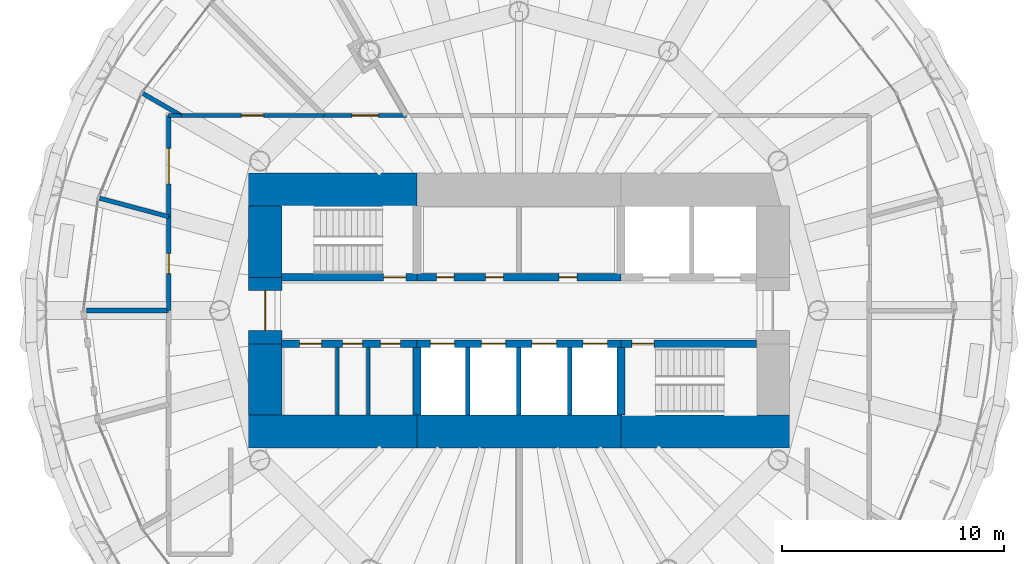
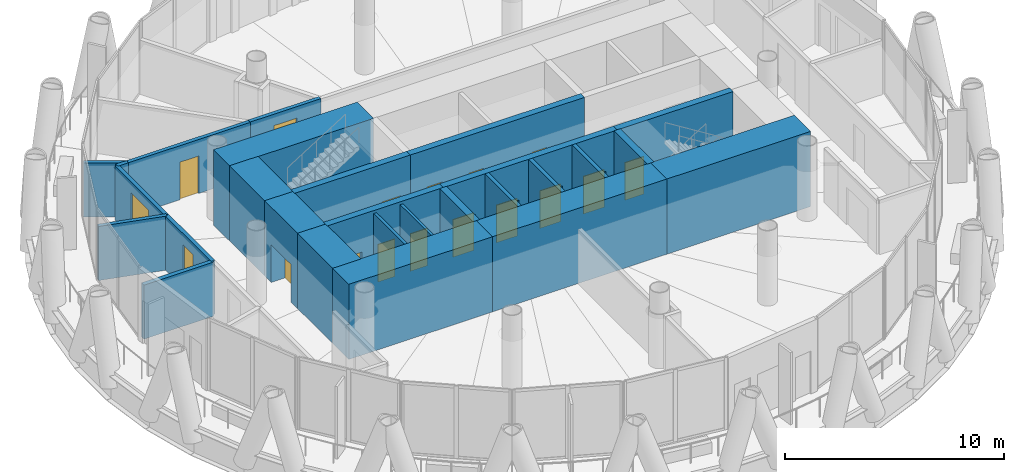
# One storey, part 9 of 15: 27 walls, 17 doors, 17 openings.
"""IFC4 building model written with IfcOpenShell, lengths in metres."""

from ifc_helpers import new_model, si_unit, direction, frame, frame_2d, origin, place, context, subcontext, project, spatial, rectangle, extrude, material, layer, layer_set, type_object, element, fill, save


model = new_model("IFC4")

# Units and contexts
model_context = context("Model", 3, precision=1e-05, world=origin(), true_north=direction((0.0, 1.0)))
body_context = subcontext(model_context, "Body", "Model", "MODEL_VIEW")
ifc_project = project(units=[si_unit("LENGTHUNIT", "METRE"), si_unit("AREAUNIT", "SQUARE_METRE"), si_unit("VOLUMEUNIT", "CUBIC_METRE"), si_unit("PLANEANGLEUNIT", "RADIAN"), si_unit("MASSUNIT", "GRAM", prefix="KILO")], contexts=[model_context])

# Site, building, storey
site_placement = place(None, origin())
site = spatial("IfcSite", under=ifc_project, at=site_placement, CompositionType="ELEMENT")
building_placement = place(site_placement, origin())
building = spatial("IfcBuilding", under=site, at=building_placement, Name="Qaws Media Tower", CompositionType="ELEMENT")
storey_placement = place(building_placement, frame((0.0, 0.0, 257.0)))
storey = spatial("IfcBuildingStorey", under=building, at=storey_placement, Name="L59", CompositionType="ELEMENT", Elevation=257.0)

# Wall
ifc_material_1 = material(Name="Twin metal stud frames, two layers gypsum board each side, insulated, Rw 55", Category="gypsum")
ifc_layer_1 = layer(ifc_material_1, 0.22509765625)
ifc_layer_set_1 = layer_set([ifc_layer_1], Name="Acoustic twin-stud partition 225 Rw 55")
wall_type_1 = type_object("IfcWallType", Name="Acoustic twin-stud partition 225 Rw 55", PredefinedType="PARTITIONING", material=ifc_layer_set_1)
wall_1_placement = place(storey_placement, frame((44.199951171875, 50.0, 0.0), z_axis=(0.0, 0.0, 1.0), x_axis=(-1.0, 0.0, 0.0)))
element("IfcWall", 1, at=wall_1_placement, inside=storey, type_object=wall_type_1, Name="W098 IW6 partition L59", PredefinedType="PARTITIONING", context=body_context, shape_type="SweptSolid", body=[
    extrude(rectangle(XDim=3.7099609375, YDim=0.22509765625, at=frame_2d((1.85498046875, 0.0))), origin(), (0.0, 0.0, 1.0), 3.02001953125),
])

# Wall, opening, door
ifc_material_2 = material(Name="Concrete C60/75", Category="concrete")
ifc_layer_2 = layer(ifc_material_2, 0.35009765625)
ifc_layer_set_2 = layer_set([ifc_layer_2], Name="Core inner wall 350")
wall_type_2 = type_object("IfcWallType", Name="Core inner wall 350", PredefinedType="SHEAR", material=ifc_layer_set_2)
wall_2_placement = place(storey_placement, frame((49.280029296875, 51.5, 0.0), z_axis=(0.0, 0.0, 1.0), x_axis=(1.0, 0.0, 0.0)))
wall_2 = element("IfcWall", 2, at=wall_2_placement, inside=storey, type_object=wall_type_2, Name="W301 SW5 core wall SPNW L59", PredefinedType="SHEAR", context=body_context, shape_type="SweptSolid", body=[
    extrude(rectangle(XDim=6.119873046875, YDim=0.35009765625, at=frame_2d((3.06005859375, 0.0))), origin(), (0.0, 0.0, 1.0), 4.199951171875),
])
opening_1_placement = place(wall_2_placement, frame((4.6201171875, 0.0, 0.0)))
opening_1 = element("IfcOpeningElement", 3, at=opening_1_placement, cuts=wall_2, Name="Opening D1", PredefinedType="OPENING", context=body_context, shape_type="SweptSolid", body=[
    extrude(rectangle(XDim=1.0, YDim=2.10009765625, at=frame_2d((0.5, 1.050048828125))), frame((0.0, 0.18505859375, 0.0), z_axis=(0.0, -1.0, 0.0), x_axis=(1.0, 0.0, 0.0)), (0.0, 0.0, 1.0), 0.3701171875),
])
ifc_material_3 = material(Name="Steel, fire rated", Category="steel")
door_type_1 = type_object("IfcDoorType", Name="Stair door 1000 FD120", OperationType="SINGLE_SWING_LEFT", PredefinedType="DOOR", material=ifc_material_3)
door_1_placement = place(opening_1_placement, origin())
door_1 = element("IfcDoor", 4, at=door_1_placement, inside=storey, type_object=door_type_1, Name="D1 stair S1 door L59 in wall W301", OperationType="SINGLE_SWING_LEFT", OverallHeight=2.10009765625, OverallWidth=1.0, PredefinedType="DOOR", context=body_context, shape_type="SweptSolid", body=[
    extrude(rectangle(XDim=1.0, YDim=2.10009765625, at=frame_2d((0.5, 1.050048828125))), frame((0.0, 0.02490234375, 0.0), z_axis=(0.0, -1.0, 0.0), x_axis=(1.0, 0.0, 0.0)), (0.0, 0.0, 1.0), 0.050048828125),
])
fill(opening_1, door_1)

# Wall, openings, doors
wall_3_placement = place(storey_placement, frame((55.39990234375, 51.5, 0.0), z_axis=(0.0, 0.0, 1.0), x_axis=(1.0, 0.0, 0.0)))
wall_3 = element("IfcWall", 5, at=wall_3_placement, inside=storey, type_object=wall_type_2, Name="W304 SW5 core wall SPN L59", PredefinedType="SHEAR", context=body_context, shape_type="SweptSolid", body=[
    extrude(rectangle(XDim=9.2001953125, YDim=0.35009765625, at=frame_2d((4.60009765625, 0.0))), origin(), (0.0, 0.0, 1.0), 4.199951171875),
])
opening_2_placement = place(wall_3_placement, frame((0.881103515625, 0.0, 0.0)))
opening_2 = element("IfcOpeningElement", 6, at=opening_2_placement, cuts=wall_3, Name="Opening D23", PredefinedType="OPENING", context=body_context, shape_type="SweptSolid", body=[
    extrude(rectangle(XDim=0.800048828125, YDim=2.10009765625, at=frame_2d((0.39990234375, 1.050048828125))), frame((0.0, 0.18505859375, 0.0), z_axis=(0.0, -1.0, 0.0), x_axis=(1.0, 0.0, 0.0)), (0.0, 0.0, 1.0), 0.3701171875),
])
opening_3_placement = place(wall_3_placement, frame((3.09375, 0.0, 0.0)))
opening_3 = element("IfcOpeningElement", 7, at=opening_3_placement, cuts=wall_3, Name="Opening D23", PredefinedType="OPENING", context=body_context, shape_type="SweptSolid", body=[
    extrude(rectangle(XDim=0.800048828125, YDim=2.10009765625, at=frame_2d((0.39990234375, 1.050048828125))), frame((0.0, 0.18505859375, 0.0), z_axis=(0.0, -1.0, 0.0), x_axis=(1.0, 0.0, 0.0)), (0.0, 0.0, 1.0), 0.3701171875),
])
opening_4_placement = place(wall_3_placement, frame((6.41259765625, 0.0, 0.0)))
opening_4 = element("IfcOpeningElement", 8, at=opening_4_placement, cuts=wall_3, Name="Opening D23", PredefinedType="OPENING", context=body_context, shape_type="SweptSolid", body=[
    extrude(rectangle(XDim=0.800048828125, YDim=2.10009765625, at=frame_2d((0.39990234375, 1.050048828125))), frame((0.0, 0.18505859375, 0.0), z_axis=(0.0, -1.0, 0.0), x_axis=(1.0, 0.0, 0.0)), (0.0, 0.0, 1.0), 0.3701171875),
])
ifc_material_4 = material(Name="Steel, fire rated", Category="steel")
door_type_2 = type_object("IfcDoorType", Name="Core room door 800x2100", OperationType="SINGLE_SWING_LEFT", PredefinedType="DOOR", material=ifc_material_4)
door_2_placement = place(opening_2_placement, origin())
door_2 = element("IfcDoor", 9, at=door_2_placement, inside=storey, type_object=door_type_2, Name="D23 Ladies toilets door L59 1 in wall W304", OperationType="SINGLE_SWING_LEFT", OverallHeight=2.10009765625, OverallWidth=0.800048828125, PredefinedType="DOOR", context=body_context, shape_type="SweptSolid", body=[
    extrude(rectangle(XDim=0.800048828125, YDim=2.10009765625, at=frame_2d((0.39990234375, 1.050048828125))), frame((0.0, 0.02490234375, 0.0), z_axis=(0.0, -1.0, 0.0), x_axis=(1.0, 0.0, 0.0)), (0.0, 0.0, 1.0), 0.050048828125),
])
fill(opening_2, door_2)
door_3_placement = place(opening_3_placement, origin())
door_3 = element("IfcDoor", 10, at=door_3_placement, inside=storey, type_object=door_type_2, Name="D23 Ladies toilets door L59 2 in wall W304", OperationType="SINGLE_SWING_LEFT", OverallHeight=2.10009765625, OverallWidth=0.800048828125, PredefinedType="DOOR", context=body_context, shape_type="SweptSolid", body=[
    extrude(rectangle(XDim=0.800048828125, YDim=2.10009765625, at=frame_2d((0.39990234375, 1.050048828125))), frame((0.0, 0.02490234375, 0.0), z_axis=(0.0, -1.0, 0.0), x_axis=(1.0, 0.0, 0.0)), (0.0, 0.0, 1.0), 0.050048828125),
])
fill(opening_3, door_3)
door_4_placement = place(opening_4_placement, origin())
door_4 = element("IfcDoor", 11, at=door_4_placement, inside=storey, type_object=door_type_2, Name="D23 Gents toilets door L59 in wall W304", OperationType="SINGLE_SWING_LEFT", OverallHeight=2.10009765625, OverallWidth=0.800048828125, PredefinedType="DOOR", context=body_context, shape_type="SweptSolid", body=[
    extrude(rectangle(XDim=0.800048828125, YDim=2.10009765625, at=frame_2d((0.39990234375, 1.050048828125))), frame((0.0, 0.02490234375, 0.0), z_axis=(0.0, -1.0, 0.0), x_axis=(1.0, 0.0, 0.0)), (0.0, 0.0, 1.0), 0.050048828125),
])
fill(opening_4, door_4)

wall_4_placement = place(storey_placement, frame((49.280029296875, 48.5, 0.0), z_axis=(0.0, 0.0, 1.0), x_axis=(1.0, 0.0, 0.0)))
wall_4 = element("IfcWall", 12, at=wall_4_placement, inside=storey, type_object=wall_type_2, Name="W300 SW5 core wall SPSW L59", PredefinedType="SHEAR", context=body_context, shape_type="SweptSolid", body=[
    extrude(rectangle(XDim=6.119873046875, YDim=0.35009765625, at=frame_2d((3.06005859375, 0.0))), origin(), (0.0, 0.0, 1.0), 4.199951171875),
])
opening_5_placement = place(wall_4_placement, frame((0.820068359375, 0.0, 0.0)))
opening_5 = element("IfcOpeningElement", 13, at=opening_5_placement, cuts=wall_4, Name="Opening D4", PredefinedType="OPENING", context=body_context, shape_type="SweptSolid", body=[
    extrude(rectangle(XDim=1.0, YDim=2.10009765625, at=frame_2d((0.5, 1.050048828125))), frame((0.0, 0.18505859375, 0.0), z_axis=(0.0, -1.0, 0.0), x_axis=(1.0, 0.0, 0.0)), (0.0, 0.0, 1.0), 0.3701171875),
])
opening_6_placement = place(wall_4_placement, frame((2.77001953125, 0.0, 0.0)))
opening_6 = element("IfcOpeningElement", 14, at=opening_6_placement, cuts=wall_4, Name="Opening D25", PredefinedType="OPENING", context=body_context, shape_type="SweptSolid", body=[
    extrude(rectangle(XDim=0.89990234375, YDim=2.10009765625, at=frame_2d((0.449951171875, 1.050048828125))), frame((0.0, 0.18505859375, 0.0), z_axis=(0.0, -1.0, 0.0), x_axis=(1.0, 0.0, 0.0)), (0.0, 0.0, 1.0), 0.3701171875),
])
opening_7_placement = place(wall_4_placement, frame((4.469970703125, 0.0, 0.0)))
opening_7 = element("IfcOpeningElement", 15, at=opening_7_placement, cuts=wall_4, Name="Opening D25", PredefinedType="OPENING", context=body_context, shape_type="SweptSolid", body=[
    extrude(rectangle(XDim=0.89990234375, YDim=2.10009765625, at=frame_2d((0.449951171875, 1.050048828125))), frame((0.0, 0.18505859375, 0.0), z_axis=(0.0, -1.0, 0.0), x_axis=(1.0, 0.0, 0.0)), (0.0, 0.0, 1.0), 0.3701171875),
])
ifc_material_5 = material(Name="Timber veneered", Category="wood")
door_type_3 = type_object("IfcDoorType", Name="Accessible WC door 1000", OperationType="SLIDING_TO_LEFT", PredefinedType="DOOR", material=ifc_material_5)
door_5_placement = place(opening_5_placement, origin())
door_5 = element("IfcDoor", 16, at=door_5_placement, inside=storey, type_object=door_type_3, Name="D4 toilet door 1 L59 in wall W300", OperationType="SLIDING_TO_LEFT", OverallHeight=2.10009765625, OverallWidth=1.0, PredefinedType="DOOR", context=body_context, shape_type="SweptSolid", body=[
    extrude(rectangle(XDim=1.0, YDim=2.10009765625, at=frame_2d((0.5, 1.050048828125))), frame((0.0, 0.02490234375, 0.0), z_axis=(0.0, -1.0, 0.0), x_axis=(1.0, 0.0, 0.0)), (0.0, 0.0, 1.0), 0.050048828125),
])
fill(opening_5, door_5)
ifc_material_6 = material(Name="Steel, fire rated", Category="steel")
door_type_4 = type_object("IfcDoorType", Name="Core service door 900", OperationType="SINGLE_SWING_RIGHT", PredefinedType="DOOR", material=ifc_material_6)
door_6_placement = place(opening_6_placement, origin())
door_6 = element("IfcDoor", 17, at=door_6_placement, inside=storey, type_object=door_type_4, Name="D25 toilet door 2 L59 in wall W300", OperationType="SINGLE_SWING_RIGHT", OverallHeight=2.10009765625, OverallWidth=0.89990234375, PredefinedType="DOOR", context=body_context, shape_type="SweptSolid", body=[
    extrude(rectangle(XDim=0.89990234375, YDim=2.10009765625, at=frame_2d((0.449951171875, 1.050048828125))), frame((0.0, 0.02490234375, 0.0), z_axis=(0.0, -1.0, 0.0), x_axis=(1.0, 0.0, 0.0)), (0.0, 0.0, 1.0), 0.050048828125),
])
fill(opening_6, door_6)
door_7_placement = place(opening_7_placement, origin())
door_7 = element("IfcDoor", 18, at=door_7_placement, inside=storey, type_object=door_type_4, Name="D25 toilet door 3 L59 in wall W300", OperationType="SINGLE_SWING_RIGHT", OverallHeight=2.10009765625, OverallWidth=0.89990234375, PredefinedType="DOOR", context=body_context, shape_type="SweptSolid", body=[
    extrude(rectangle(XDim=0.89990234375, YDim=2.10009765625, at=frame_2d((0.449951171875, 1.050048828125))), frame((0.0, 0.02490234375, 0.0), z_axis=(0.0, -1.0, 0.0), x_axis=(1.0, 0.0, 0.0)), (0.0, 0.0, 1.0), 0.050048828125),
])
fill(opening_7, door_7)

wall_5_placement = place(storey_placement, frame((55.39990234375, 48.5, 0.0), z_axis=(0.0, 0.0, 1.0), x_axis=(1.0, 0.0, 0.0)))
wall_5 = element("IfcWall", 19, at=wall_5_placement, inside=storey, type_object=wall_type_2, Name="W303 SW5 core wall SPS L59", PredefinedType="SHEAR", context=body_context, shape_type="SweptSolid", body=[
    extrude(rectangle(XDim=9.2001953125, YDim=0.35009765625, at=frame_2d((4.60009765625, 0.0))), origin(), (0.0, 0.0, 1.0), 4.199951171875),
])
opening_8_placement = place(wall_5_placement, frame((0.60009765625, 0.0, 0.0)))
opening_8 = element("IfcOpeningElement", 20, at=opening_8_placement, cuts=wall_5, Name="Opening LD", PredefinedType="OPENING", context=body_context, shape_type="SweptSolid", body=[
    extrude(rectangle(XDim=1.10009765625, YDim=2.10009765625, at=frame_2d((0.550048828125, 1.050048828125))), frame((0.0, 0.18505859375, 0.0), z_axis=(0.0, -1.0, 0.0), x_axis=(1.0, 0.0, 0.0)), (0.0, 0.0, 1.0), 0.3701171875),
])
opening_9_placement = place(wall_5_placement, frame((2.89990234375, 0.0, 0.0)))
opening_9 = element("IfcOpeningElement", 21, at=opening_9_placement, cuts=wall_5, Name="Opening LD", PredefinedType="OPENING", context=body_context, shape_type="SweptSolid", body=[
    extrude(rectangle(XDim=1.10009765625, YDim=2.10009765625, at=frame_2d((0.550048828125, 1.050048828125))), frame((0.0, 0.18505859375, 0.0), z_axis=(0.0, -1.0, 0.0), x_axis=(1.0, 0.0, 0.0)), (0.0, 0.0, 1.0), 0.3701171875),
])
opening_10_placement = place(wall_5_placement, frame((5.199951171875, 0.0, 0.0)))
opening_10 = element("IfcOpeningElement", 22, at=opening_10_placement, cuts=wall_5, Name="Opening LD", PredefinedType="OPENING", context=body_context, shape_type="SweptSolid", body=[
    extrude(rectangle(XDim=1.10009765625, YDim=2.10009765625, at=frame_2d((0.550048828125, 1.050048828125))), frame((0.0, 0.18505859375, 0.0), z_axis=(0.0, -1.0, 0.0), x_axis=(1.0, 0.0, 0.0)), (0.0, 0.0, 1.0), 0.3701171875),
])
opening_11_placement = place(wall_5_placement, frame((7.5, 0.0, 0.0)))
opening_11 = element("IfcOpeningElement", 23, at=opening_11_placement, cuts=wall_5, Name="Opening LD", PredefinedType="OPENING", context=body_context, shape_type="SweptSolid", body=[
    extrude(rectangle(XDim=1.10009765625, YDim=2.10009765625, at=frame_2d((0.550048828125, 1.050048828125))), frame((0.0, 0.18505859375, 0.0), z_axis=(0.0, -1.0, 0.0), x_axis=(1.0, 0.0, 0.0)), (0.0, 0.0, 1.0), 0.3701171875),
])
ifc_material_7 = material(Name="Steel, fire rated", Category="steel")
door_type_5 = type_object("IfcDoorType", Name="Lift landing door 1100", OperationType="SLIDING_TO_LEFT", PredefinedType="DOOR", material=ifc_material_7)
door_8_placement = place(opening_8_placement, origin())
door_8 = element("IfcDoor", 24, at=door_8_placement, inside=storey, type_object=door_type_5, Name="P5 landing door L59 in wall W303", OperationType="SLIDING_TO_LEFT", OverallHeight=2.10009765625, OverallWidth=1.10009765625, PredefinedType="DOOR", context=body_context, shape_type="SweptSolid", body=[
    extrude(rectangle(XDim=1.10009765625, YDim=2.10009765625, at=frame_2d((0.550048828125, 1.050048828125))), frame((0.0, 0.02490234375, 0.0), z_axis=(0.0, -1.0, 0.0), x_axis=(1.0, 0.0, 0.0)), (0.0, 0.0, 1.0), 0.050048828125),
])
fill(opening_8, door_8)
door_9_placement = place(opening_9_placement, origin())
door_9 = element("IfcDoor", 25, at=door_9_placement, inside=storey, type_object=door_type_5, Name="P6 landing door L59 in wall W303", OperationType="SLIDING_TO_LEFT", OverallHeight=2.10009765625, OverallWidth=1.10009765625, PredefinedType="DOOR", context=body_context, shape_type="SweptSolid", body=[
    extrude(rectangle(XDim=1.10009765625, YDim=2.10009765625, at=frame_2d((0.550048828125, 1.050048828125))), frame((0.0, 0.02490234375, 0.0), z_axis=(0.0, -1.0, 0.0), x_axis=(1.0, 0.0, 0.0)), (0.0, 0.0, 1.0), 0.050048828125),
])
fill(opening_9, door_9)
door_10_placement = place(opening_10_placement, origin())
door_10 = element("IfcDoor", 26, at=door_10_placement, inside=storey, type_object=door_type_5, Name="P7 landing door L59 in wall W303", OperationType="SLIDING_TO_LEFT", OverallHeight=2.10009765625, OverallWidth=1.10009765625, PredefinedType="DOOR", context=body_context, shape_type="SweptSolid", body=[
    extrude(rectangle(XDim=1.10009765625, YDim=2.10009765625, at=frame_2d((0.550048828125, 1.050048828125))), frame((0.0, 0.02490234375, 0.0), z_axis=(0.0, -1.0, 0.0), x_axis=(1.0, 0.0, 0.0)), (0.0, 0.0, 1.0), 0.050048828125),
])
fill(opening_10, door_10)
door_11_placement = place(opening_11_placement, origin())
door_11 = element("IfcDoor", 27, at=door_11_placement, inside=storey, type_object=door_type_5, Name="P8 landing door L59 in wall W303", OperationType="SLIDING_TO_LEFT", OverallHeight=2.10009765625, OverallWidth=1.10009765625, PredefinedType="DOOR", context=body_context, shape_type="SweptSolid", body=[
    extrude(rectangle(XDim=1.10009765625, YDim=2.10009765625, at=frame_2d((0.550048828125, 1.050048828125))), frame((0.0, 0.02490234375, 0.0), z_axis=(0.0, -1.0, 0.0), x_axis=(1.0, 0.0, 0.0)), (0.0, 0.0, 1.0), 0.050048828125),
])
fill(opening_11, door_11)

# Wall, opening, door
wall_6_placement = place(storey_placement, frame((64.60009765625, 48.5, 0.0), z_axis=(0.0, 0.0, 1.0), x_axis=(1.0, 0.0, 0.0)))
wall_6 = element("IfcWall", 28, at=wall_6_placement, inside=storey, type_object=wall_type_2, Name="W307 SW5 core wall SPSE L59", PredefinedType="SHEAR", context=body_context, shape_type="SweptSolid", body=[
    extrude(rectangle(XDim=6.119873046875, YDim=0.35009765625, at=frame_2d((3.06005859375, 0.0))), origin(), (0.0, 0.0, 1.0), 4.199951171875),
])
opening_12_placement = place(wall_6_placement, frame((0.5, 0.0, 0.0)))
opening_12 = element("IfcOpeningElement", 29, at=opening_12_placement, cuts=wall_6, Name="Opening D1", PredefinedType="OPENING", context=body_context, shape_type="SweptSolid", body=[
    extrude(rectangle(XDim=1.0, YDim=2.10009765625, at=frame_2d((0.5, 1.050048828125))), frame((0.0, 0.18505859375, 0.0), z_axis=(0.0, -1.0, 0.0), x_axis=(1.0, 0.0, 0.0)), (0.0, 0.0, 1.0), 0.3701171875),
])
door_12_placement = place(opening_12_placement, origin())
door_12 = element("IfcDoor", 30, at=door_12_placement, inside=storey, type_object=door_type_1, Name="D1 stair S2 door L59 in wall W307", OperationType="SINGLE_SWING_LEFT", OverallHeight=2.10009765625, OverallWidth=1.0, PredefinedType="DOOR", context=body_context, shape_type="SweptSolid", body=[
    extrude(rectangle(XDim=1.0, YDim=2.10009765625, at=frame_2d((0.5, 1.050048828125))), frame((0.0, 0.02490234375, 0.0), z_axis=(0.0, -1.0, 0.0), x_axis=(1.0, 0.0, 0.0)), (0.0, 0.0, 1.0), 0.050048828125),
])
fill(opening_12, door_12)

# Walls
for number, where, z_axis, x_axis, name in (
    (31, (55.39990234375, 48.344970703125, 0.0), (0.0, 0.0, 1.0), (0.0, -1.0, 0.0), "W302 SW5 core wall XSW L59"),
    (32, (64.60009765625, 48.344970703125, 0.0), (0.0, 0.0, 1.0), (0.0, -1.0, 0.0), "W306 SW5 core wall XSE L59"),
):
    element("IfcWall", number, at=place(storey_placement, frame(where, z_axis=z_axis, x_axis=x_axis)), inside=storey, type_object=wall_type_2, Name=name, PredefinedType="SHEAR", context=body_context, shape_type="SweptSolid", body=[
        extrude(rectangle(XDim=3.06494140625, YDim=0.35009765625, at=frame_2d((1.532470703125, 0.0))), origin(), (0.0, 0.0, 1.0), 4.199951171875),
    ])
ifc_material_8 = material(Name="Concrete C60/75", Category="concrete")
ifc_layer_3 = layer(ifc_material_8, 1.5)
ifc_layer_set_3 = layer_set([ifc_layer_3], Name="Core wall 1500")
wall_type_3 = type_object("IfcWallType", Name="Core wall 1500", PredefinedType="SHEAR", material=ifc_layer_set_3)
for number, where, z_axis, x_axis, name in (
    (33, (47.800048828125, 55.449951171875, 0.0), (0.0, 0.0, 1.0), (1.0, 0.0, 0.0), "W377 SW13 core wall NW L59"),
    (34, (47.800048828125, 44.550048828125, 0.0), (0.0, 0.0, 1.0), (1.0, 0.0, 0.0), "W376 SW13 core wall SW L59"),
):
    element("IfcWall", number, at=place(storey_placement, frame(where, z_axis=z_axis, x_axis=x_axis)), inside=storey, type_object=wall_type_3, Name=name, PredefinedType="SHEAR", context=body_context, shape_type="SweptSolid", body=[
        extrude(rectangle(XDim=7.599853515625, YDim=1.5, at=frame_2d((3.7998046875, 0.0))), origin(), (0.0, 0.0, 1.0), 4.199951171875),
    ])
wall_7_placement = place(storey_placement, frame((55.39990234375, 44.550048828125, 0.0), z_axis=(0.0, 0.0, 1.0), x_axis=(1.0, 0.0, 0.0)))
element("IfcWall", 35, at=wall_7_placement, inside=storey, type_object=wall_type_3, Name="W372 SW13 core wall S L59", PredefinedType="SHEAR", context=body_context, shape_type="SweptSolid", body=[
    extrude(rectangle(XDim=9.2001953125, YDim=1.5, at=frame_2d((4.60009765625, 0.0))), origin(), (0.0, 0.0, 1.0), 4.199951171875),
])
wall_8_placement = place(storey_placement, frame((64.60009765625, 44.550048828125, 0.0), z_axis=(0.0, 0.0, 1.0), x_axis=(1.0, 0.0, 0.0)))
element("IfcWall", 36, at=wall_8_placement, inside=storey, type_object=wall_type_3, Name="W381 SW13 core wall SE L59", PredefinedType="SHEAR", context=body_context, shape_type="SweptSolid", body=[
    extrude(rectangle(XDim=7.599853515625, YDim=1.5, at=frame_2d((3.7998046875, 0.0))), origin(), (0.0, 0.0, 1.0), 4.199951171875),
])
wall_9_placement = place(storey_placement, frame((48.550048828125, 45.280029296875, 0.0), z_axis=(0.0, 0.0, 1.0), x_axis=(0.0, 1.0, 0.0)))
element("IfcWall", 37, at=wall_9_placement, inside=storey, type_object=wall_type_3, Name="W378 SW13 core wall WS L59", PredefinedType="SHEAR", context=body_context, shape_type="SweptSolid", body=[
    extrude(rectangle(XDim=3.219970703125, YDim=1.5, at=frame_2d((1.60986328125, 0.0))), origin(), (0.0, 0.0, 1.0), 4.199951171875),
])

# Wall, opening, door
wall_10_placement = place(storey_placement, frame((48.550048828125, 48.5, 0.0), z_axis=(0.0, 0.0, 1.0), x_axis=(0.0, 1.0, 0.0)))
wall_10 = element("IfcWall", 38, at=wall_10_placement, inside=storey, type_object=wall_type_3, Name="W379 SW13 core wall W L59", PredefinedType="SHEAR", context=body_context, shape_type="SweptSolid", body=[
    extrude(rectangle(XDim=3.0, YDim=1.5, at=frame_2d((1.5, 0.0))), origin(), (0.0, 0.0, 1.0), 4.199951171875),
])
opening_13_placement = place(wall_10_placement, frame((0.60009765625, 0.0, 0.0)))
opening_13 = element("IfcOpeningElement", 39, at=opening_13_placement, cuts=wall_10, Name="Opening D2", PredefinedType="OPENING", context=body_context, shape_type="SweptSolid", body=[
    extrude(rectangle(XDim=1.800048828125, YDim=2.10009765625, at=frame_2d((0.89990234375, 1.050048828125))), frame((0.0, 0.760009765625, 0.0), z_axis=(0.0, -1.0, 0.0), x_axis=(1.0, 0.0, 0.0)), (0.0, 0.0, 1.0), 1.52001953125),
])
ifc_material_9 = material(Name="Steel and glass, fire rated", Category="steel")
door_type_6 = type_object("IfcDoorType", Name="Lobby door pair 1800 FD60", OperationType="DOUBLE_DOOR_DOUBLE_SWING", PredefinedType="DOOR", material=ifc_material_9)
door_13_placement = place(opening_13_placement, origin())
door_13 = element("IfcDoor", 40, at=door_13_placement, inside=storey, type_object=door_type_6, Name="D2 core lobby door W L59 in wall W379", OperationType="DOUBLE_DOOR_DOUBLE_SWING", OverallHeight=2.10009765625, OverallWidth=1.800048828125, PredefinedType="DOOR", context=body_context, shape_type="SweptSolid", body=[
    extrude(rectangle(XDim=1.800048828125, YDim=2.10009765625, at=frame_2d((0.89990234375, 1.050048828125))), frame((0.0, 0.02490234375, 0.0), z_axis=(0.0, -1.0, 0.0), x_axis=(1.0, 0.0, 0.0)), (0.0, 0.0, 1.0), 0.050048828125),
])
fill(opening_13, door_13)

# Walls
wall_11_placement = place(storey_placement, frame((48.550048828125, 51.5, 0.0), z_axis=(0.0, 0.0, 1.0), x_axis=(0.0, 1.0, 0.0)))
element("IfcWall", 41, at=wall_11_placement, inside=storey, type_object=wall_type_3, Name="W380 SW13 core wall WN L59", PredefinedType="SHEAR", context=body_context, shape_type="SweptSolid", body=[
    extrude(rectangle(XDim=3.219970703125, YDim=1.5, at=frame_2d((1.60986328125, 0.0))), origin(), (0.0, 0.0, 1.0), 4.199951171875),
])
ifc_material_10 = material(Name="Gypsum board on galvanised metal studs, acoustic double stud, deflection head", Category="gypsum")
ifc_layer_4 = layer(ifc_material_10, 0.199951171875)
ifc_layer_set_4 = layer_set([ifc_layer_4], Name="Room partition 200")
wall_type_4 = type_object("IfcWallType", Name="Room partition 200", PredefinedType="PARTITIONING", material=ifc_layer_set_4)
wall_12_placement = place(storey_placement, frame((44.199951171875, 58.800048828125, 0.0), z_axis=(0.0, 0.0, 1.0), x_axis=(1.0, 0.0, 0.0)))
element("IfcWall", 42, at=wall_12_placement, inside=storey, type_object=wall_type_4, Name="W1613 IW3 partition L59", PredefinedType="PARTITIONING", context=body_context, shape_type="SweptSolid", body=[
    extrude(rectangle(XDim=0.55810546875, YDim=0.199951171875, at=frame_2d((0.279052734375, 0.0))), origin(), (0.0, 0.0, 1.0), 3.02001953125),
])

# Wall, opening, door
wall_13_placement = place(storey_placement, frame((44.758056640625, 58.800048828125, 0.0), z_axis=(0.0, 0.0, 1.0), x_axis=(1.0, 0.0, 0.0)))
wall_13 = element("IfcWall", 43, at=wall_13_placement, inside=storey, type_object=wall_type_4, Name="W1615 IW3 partition L59", PredefinedType="PARTITIONING", context=body_context, shape_type="SweptSolid", body=[
    extrude(rectangle(XDim=6.44189453125, YDim=0.199951171875, at=frame_2d((3.220947265625, 0.0))), origin(), (0.0, 0.0, 1.0), 3.02001953125),
])
opening_14_placement = place(wall_13_placement, frame((2.720947265625, 0.0, 0.0)))
opening_14 = element("IfcOpeningElement", 44, at=opening_14_placement, cuts=wall_13, Name="Opening D5", PredefinedType="OPENING", context=body_context, shape_type="SweptSolid", body=[
    extrude(rectangle(XDim=1.0, YDim=2.10009765625, at=frame_2d((0.5, 1.050048828125))), frame((0.0, 0.10986328125, 0.0), z_axis=(0.0, -1.0, 0.0), x_axis=(1.0, 0.0, 0.0)), (0.0, 0.0, 1.0), 0.219970703125),
])
ifc_material_11 = material(Name="Timber veneered, acoustic seal", Category="wood")
door_type_7 = type_object("IfcDoorType", Name="Room door 1000", OperationType="SINGLE_SWING_LEFT", PredefinedType="DOOR", material=ifc_material_11)
door_14_placement = place(opening_14_placement, origin())
door_14 = element("IfcDoor", 45, at=door_14_placement, inside=storey, type_object=door_type_7, Name="D5 Edit room door L59 in wall W1615", OperationType="SINGLE_SWING_LEFT", OverallHeight=2.10009765625, OverallWidth=1.0, PredefinedType="DOOR", context=body_context, shape_type="SweptSolid", body=[
    extrude(rectangle(XDim=1.0, YDim=2.10009765625, at=frame_2d((0.5, 1.050048828125))), frame((0.0, 0.02490234375, 0.0), z_axis=(0.0, -1.0, 0.0), x_axis=(1.0, 0.0, 0.0)), (0.0, 0.0, 1.0), 0.050048828125),
])
fill(opening_14, door_14)

wall_14_placement = place(storey_placement, frame((51.199951171875, 58.800048828125, 0.0), z_axis=(0.0, 0.0, 1.0), x_axis=(1.0, 0.0, 0.0)))
wall_14 = element("IfcWall", 46, at=wall_14_placement, inside=storey, type_object=wall_type_4, Name="W1529 IW3 partition L59", PredefinedType="PARTITIONING", context=body_context, shape_type="SweptSolid", body=[
    extrude(rectangle(XDim=3.71923828125, YDim=0.199951171875, at=frame_2d((1.859619140625, 0.0))), origin(), (0.0, 0.0, 1.0), 3.0400390625),
])
opening_15_placement = place(wall_14_placement, frame((1.259765625, 0.0, 0.0)))
opening_15 = element("IfcOpeningElement", 47, at=opening_15_placement, cuts=wall_14, Name="Opening D14", PredefinedType="OPENING", context=body_context, shape_type="SweptSolid", body=[
    extrude(rectangle(XDim=1.199951171875, YDim=2.39990234375, at=frame_2d((0.60009765625, 1.199951171875))), frame((0.0, 0.10986328125, 0.0), z_axis=(0.0, -1.0, 0.0), x_axis=(1.0, 0.0, 0.0)), (0.0, 0.0, 1.0), 0.219970703125),
])
ifc_material_12 = material(Name="Steel acoustic door set, Rw 45", Category="steel")
door_type_8 = type_object("IfcDoorType", Name="Acoustic door 1200x2400 Rw 45", OperationType="SINGLE_SWING_LEFT", PredefinedType="DOOR", material=ifc_material_12)
door_15_placement = place(opening_15_placement, origin())
door_15 = element("IfcDoor", 48, at=door_15_placement, inside=storey, type_object=door_type_8, Name="D14 Broadcast booth door L59 in wall W1529", OperationType="SINGLE_SWING_LEFT", OverallHeight=2.39990234375, OverallWidth=1.199951171875, PredefinedType="DOOR", context=body_context, shape_type="SweptSolid", body=[
    extrude(rectangle(XDim=1.199951171875, YDim=2.39990234375, at=frame_2d((0.60009765625, 1.199951171875))), frame((0.0, 0.02490234375, 0.0), z_axis=(0.0, -1.0, 0.0), x_axis=(1.0, 0.0, 0.0)), (0.0, 0.0, 1.0), 0.050048828125),
])
fill(opening_15, door_15)

wall_15_placement = place(storey_placement, frame((44.199951171875, 50.0, 0.0), z_axis=(0.0, 0.0, 1.0), x_axis=(0.0, 1.0, 0.0)))
wall_15 = element("IfcWall", 49, at=wall_15_placement, inside=storey, type_object=wall_type_4, Name="W1690 IW3 partition L59", PredefinedType="PARTITIONING", context=body_context, shape_type="SweptSolid", body=[
    extrude(rectangle(XDim=4.233642578125, YDim=0.199951171875, at=frame_2d((2.11669921875, 0.0))), origin(), (0.0, 0.0, 1.0), 3.02001953125),
])
opening_16_placement = place(wall_15_placement, frame((1.666748046875, 0.0, 0.0)))
opening_16 = element("IfcOpeningElement", 50, at=opening_16_placement, cuts=wall_15, Name="Opening D12", PredefinedType="OPENING", context=body_context, shape_type="SweptSolid", body=[
    extrude(rectangle(XDim=0.89990234375, YDim=2.39990234375, at=frame_2d((0.449951171875, 1.199951171875))), frame((0.0, 0.10986328125, 0.0), z_axis=(0.0, -1.0, 0.0), x_axis=(1.0, 0.0, 0.0)), (0.0, 0.0, 1.0), 0.219970703125),
])
ifc_material_13 = material(Name="Timber veneered, full height", Category="wood")
door_type_9 = type_object("IfcDoorType", Name="Office door 900x2400", OperationType="SINGLE_SWING_LEFT", PredefinedType="DOOR", material=ifc_material_13)
door_16_placement = place(opening_16_placement, origin())
door_16 = element("IfcDoor", 51, at=door_16_placement, inside=storey, type_object=door_type_9, Name="D12 Office door L59 in wall W1690", OperationType="SINGLE_SWING_LEFT", OverallHeight=2.39990234375, OverallWidth=0.89990234375, PredefinedType="DOOR", context=body_context, shape_type="SweptSolid", body=[
    extrude(rectangle(XDim=0.89990234375, YDim=2.39990234375, at=frame_2d((0.449951171875, 1.199951171875))), frame((0.0, 0.02490234375, 0.0), z_axis=(0.0, -1.0, 0.0), x_axis=(1.0, 0.0, 0.0)), (0.0, 0.0, 1.0), 0.050048828125),
])
fill(opening_16, door_16)

wall_16_placement = place(storey_placement, frame((44.199951171875, 54.233642578125, 0.0), z_axis=(0.0, 0.0, 1.0), x_axis=(0.0, 1.0, 0.0)))
wall_16 = element("IfcWall", 52, at=wall_16_placement, inside=storey, type_object=wall_type_4, Name="W1612 IW3 partition L59", PredefinedType="PARTITIONING", context=body_context, shape_type="SweptSolid", body=[
    extrude(rectangle(XDim=4.56640625, YDim=0.199951171875, at=frame_2d((2.283203125, 0.0))), origin(), (0.0, 0.0, 1.0), 3.02001953125),
])
opening_17_placement = place(wall_16_placement, frame((1.483154296875, 0.0, 0.0)))
opening_17 = element("IfcOpeningElement", 53, at=opening_17_placement, cuts=wall_16, Name="Opening D16", PredefinedType="OPENING", context=body_context, shape_type="SweptSolid", body=[
    extrude(rectangle(XDim=1.60009765625, YDim=2.39990234375, at=frame_2d((0.800048828125, 1.199951171875))), frame((0.0, 0.10986328125, 0.0), z_axis=(0.0, -1.0, 0.0), x_axis=(1.0, 0.0, 0.0)), (0.0, 0.0, 1.0), 0.219970703125),
])
ifc_material_14 = material(Name="Glazed aluminium, fire rated", Category="aluminium")
door_type_10 = type_object("IfcDoorType", Name="Tenant entrance door pair 1600x2400", OperationType="DOUBLE_DOOR_DOUBLE_SWING", PredefinedType="DOOR", material=ifc_material_14)
door_17_placement = place(opening_17_placement, origin())
door_17 = element("IfcDoor", 54, at=door_17_placement, inside=storey, type_object=door_type_10, Name="D16 Bureau reception door L59 in wall W1612", OperationType="DOUBLE_DOOR_DOUBLE_SWING", OverallHeight=2.39990234375, OverallWidth=1.60009765625, PredefinedType="DOOR", context=body_context, shape_type="SweptSolid", body=[
    extrude(rectangle(XDim=1.60009765625, YDim=2.39990234375, at=frame_2d((0.800048828125, 1.199951171875))), frame((0.0, 0.02490234375, 0.0), z_axis=(0.0, -1.0, 0.0), x_axis=(1.0, 0.0, 0.0)), (0.0, 0.0, 1.0), 0.050048828125),
])
fill(opening_17, door_17)

# Walls
wall_17_placement = place(storey_placement, frame((44.758056640625, 58.800048828125, 0.0), z_axis=(0.0, 0.0, 1.0), x_axis=(-0.866082447003, 0.499901185229, 0.0)))
element("IfcWall", 55, at=wall_17_placement, inside=storey, type_object=wall_type_4, Name="W1702 IW3 partition L59", PredefinedType="PARTITIONING", context=body_context, shape_type="SweptSolid", body=[
    extrude(rectangle(XDim=2.01025390625, YDim=0.199951171875, at=frame_2d((1.005126953125, 0.0))), origin(), (0.0, 0.0, 1.0), 3.02001953125),
])
wall_18_placement = place(storey_placement, frame((44.197509765625, 54.234375, 0.0), z_axis=(0.0, 0.0, 1.0), x_axis=(-0.965936316888, 0.25877989048, 0.0)))
element("IfcWall", 56, at=wall_18_placement, inside=storey, type_object=wall_type_4, Name="W1700 IW3 partition L59", PredefinedType="PARTITIONING", context=body_context, shape_type="SweptSolid", body=[
    extrude(rectangle(XDim=3.25, YDim=0.199951171875, at=frame_2d((1.625, 0.0))), origin(), (0.0, 0.0, 1.0), 3.02001953125),
])
ifc_material_15 = material(Name="Fire-rated gypsum board shaft wall on galvanised metal studs, deflection head", Category="gypsum")
ifc_layer_5 = layer(ifc_material_15, 0.199951171875)
ifc_layer_set_5 = layer_set([ifc_layer_5], Name="Shaft wall 200")
wall_type_5 = type_object("IfcWallType", Name="Shaft wall 200", PredefinedType="PARTITIONING", material=ifc_layer_set_5)
for number, where, z_axis, x_axis, name in (
    (57, (57.699951171875, 45.300048828125, 0.0), (0.0, 0.0, 1.0), (0.0, 1.0, 0.0), "W1871 IW1 shaft wall S1 L59"),
    (58, (60.0, 45.300048828125, 0.0), (0.0, 0.0, 1.0), (0.0, 1.0, 0.0), "W1872 IW1 shaft wall S2 L59"),
    (59, (62.300048828125, 45.300048828125, 0.0), (0.0, 0.0, 1.0), (0.0, 1.0, 0.0), "W1873 IW1 shaft wall S3 L59"),
):
    element("IfcWall", number, at=place(storey_placement, frame(where, z_axis=z_axis, x_axis=x_axis)), inside=storey, type_object=wall_type_5, Name=name, PredefinedType="PARTITIONING", context=body_context, shape_type="SweptSolid", body=[
        extrude(rectangle(XDim=3.02490234375, YDim=0.199951171875, at=frame_2d((1.512451171875, 0.0))), origin(), (0.0, 0.0, 1.0), 4.199951171875),
    ])
ifc_material_16 = material(Name="Gypsum board on galvanised metal studs, deflection head", Category="gypsum")
ifc_layer_6 = layer(ifc_material_16, 0.14990234375)
ifc_layer_set_6 = layer_set([ifc_layer_6], Name="WC partition 150")
wall_type_6 = type_object("IfcWallType", Name="WC partition 150", PredefinedType="PARTITIONING", material=ifc_layer_set_6)
for number, where, z_axis, x_axis, name in (
    (60, (51.800048828125, 45.300048828125, 0.0), (0.0, 0.0, 1.0), (0.0, 1.0, 0.0), "W1922 IW2 toilet partition 1 L59"),
    (61, (53.199951171875, 45.300048828125, 0.0), (0.0, 0.0, 1.0), (0.0, 1.0, 0.0), "W1924 IW2 toilet partition 2 L59"),
):
    element("IfcWall", number, at=place(storey_placement, frame(where, z_axis=z_axis, x_axis=x_axis)), inside=storey, type_object=wall_type_6, Name=name, PredefinedType="PARTITIONING", context=body_context, shape_type="SweptSolid", body=[
        extrude(rectangle(XDim=3.02490234375, YDim=0.14990234375, at=frame_2d((1.512451171875, 0.0))), origin(), (0.0, 0.0, 1.0), 4.0400390625),
    ])

save(model, "model.ifc")
